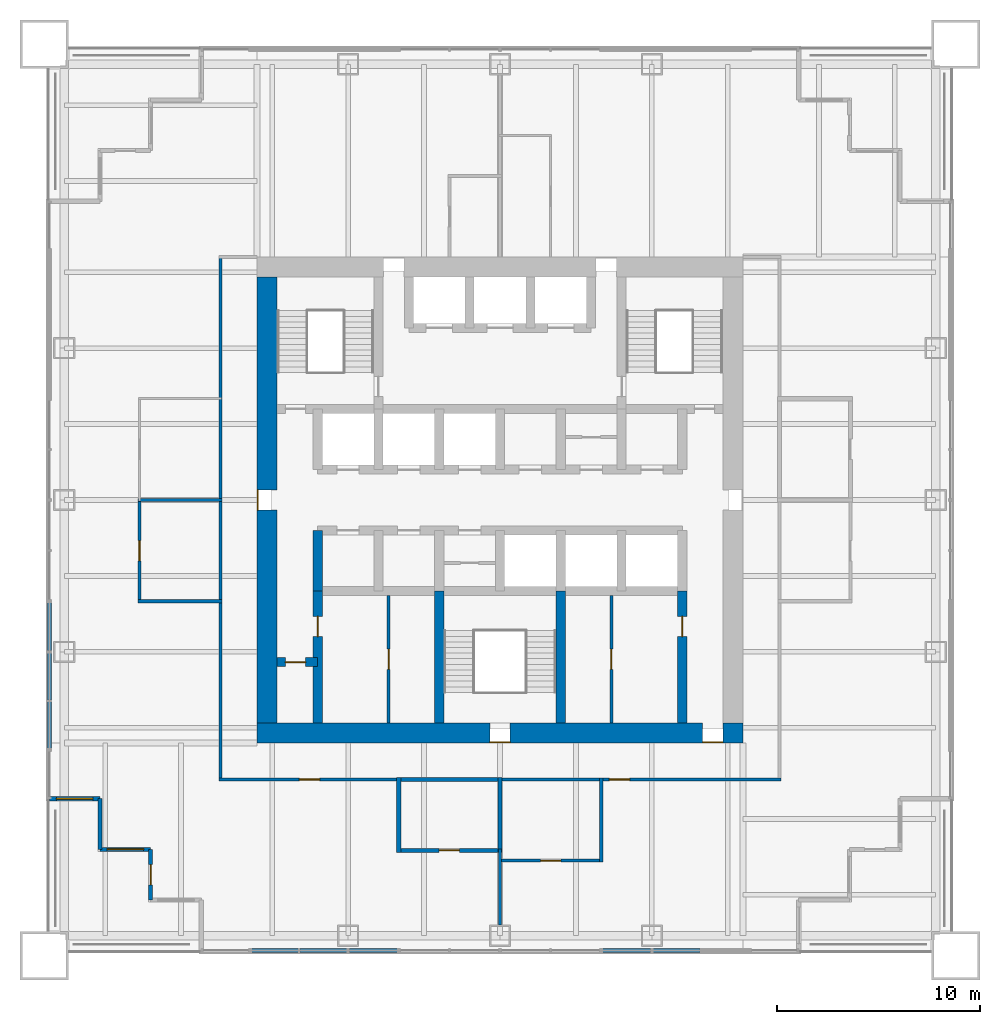
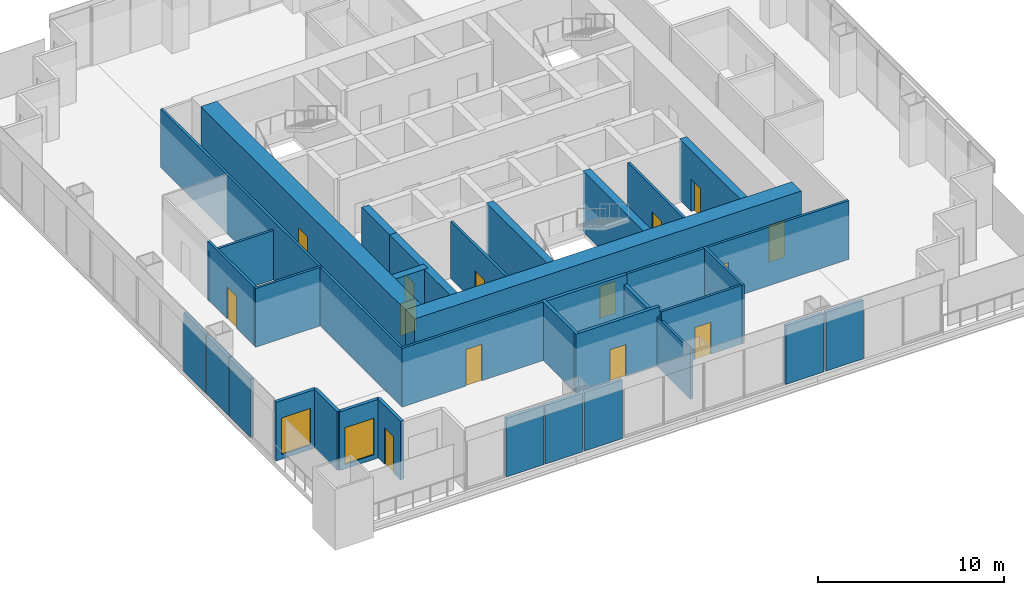
# One storey, part 8 of 13: 35 walls, 14 doors, 2 windows, 16 openings.
"""IFC4 building model written with IfcOpenShell, lengths in metres."""

from ifc_helpers import new_model, si_unit, direction, frame, frame_2d, origin, place, context, subcontext, project, spatial, rectangle, extrude, material, layer, layer_set, type_object, element, fill, save


model = new_model("IFC4")

# Units and contexts
model_context = context("Model", 3, precision=1e-05, world=origin(), true_north=direction((0.0, 1.0)))
body_context = subcontext(model_context, "Body", "Model", "MODEL_VIEW")
ifc_project = project(units=[si_unit("LENGTHUNIT", "METRE"), si_unit("AREAUNIT", "SQUARE_METRE"), si_unit("VOLUMEUNIT", "CUBIC_METRE"), si_unit("PLANEANGLEUNIT", "RADIAN"), si_unit("MASSUNIT", "GRAM", prefix="KILO")], contexts=[model_context])

# Site, building, storey
site_placement = place(None, origin())
site = spatial("IfcSite", under=ifc_project, at=site_placement, CompositionType="ELEMENT")
building_placement = place(site_placement, origin())
building = spatial("IfcBuilding", under=site, at=building_placement, Name="Tarangal Relay Tower", CompositionType="ELEMENT")
storey_placement = place(building_placement, frame((0.0, 0.0, 225.89990234375)))
storey = spatial("IfcBuildingStorey", under=building, at=storey_placement, Name="L48", CompositionType="ELEMENT", Elevation=225.89990234375)

# Wall, opening, door
ifc_material_1 = material(Name="Two layers gypsum board each side on twin steel studs, mineral wool", Category="steel")
ifc_layer_1 = layer(ifc_material_1, 0.199951171875)
ifc_layer_set_1 = layer_set([ifc_layer_1], Name="Acoustic partition 200")
wall_type_1 = type_object("IfcWallType", Name="Acoustic partition 200", PredefinedType="PARTITIONING", material=ifc_layer_set_1)
wall_1_placement = place(storey_placement, frame((-5.10009765625, -17.300048828125, 0.0), z_axis=(0.0, 0.0, 1.0), x_axis=(1.0, 0.0, 0.0)))
wall_1 = element("IfcWall", 1, at=wall_1_placement, inside=storey, type_object=wall_type_1, Name="Partition PT2 L48", PredefinedType="PARTITIONING", context=body_context, shape_type="SweptSolid", body=[
    extrude(rectangle(XDim=5.2001953125, YDim=0.199951171875, at=frame_2d((2.60009765625, 0.0))), origin(), (0.0, 0.0, 1.0), 3.85009765625),
])
opening_1_placement = place(wall_1_placement, frame((2.10009765625, 0.0, 0.0)))
opening_1 = element("IfcOpeningElement", 2, at=opening_1_placement, cuts=wall_1, Name="Opening D2", PredefinedType="OPENING", context=body_context, shape_type="SweptSolid", body=[
    extrude(rectangle(XDim=1.0, YDim=2.10009765625, at=frame_2d((0.5, 1.050048828125))), frame((0.0, 0.10986328125, 0.0), z_axis=(0.0, -1.0, 0.0), x_axis=(1.0, 0.0, 0.0)), (0.0, 0.0, 1.0), 0.219970703125),
])
ifc_material_2 = material(Name="Hardwood door", Category="wood")
door_type_1 = type_object("IfcDoorType", Name="Door 1000 x 2100", OperationType="SINGLE_SWING_LEFT", PredefinedType="DOOR", material=ifc_material_2)
door_1_placement = place(opening_1_placement, origin())
door_1 = element("IfcDoor", 3, at=door_1_placement, inside=storey, type_object=door_type_1, Name="Door D2 to quiet room L48-07", OperationType="SINGLE_SWING_LEFT", OverallHeight=2.10009765625, OverallWidth=1.0, PredefinedType="DOOR", context=body_context, shape_type="SweptSolid", body=[
    extrude(rectangle(XDim=1.0, YDim=2.10009765625, at=frame_2d((0.5, 1.050048828125))), frame((0.0, 0.02490234375, 0.0), z_axis=(0.0, -1.0, 0.0), x_axis=(1.0, 0.0, 0.0)), (0.0, 0.0, 1.0), 0.050048828125),
])
fill(opening_1, door_1)

# Walls
wall_2_placement = place(storey_placement, frame((-5.10009765625, -13.800048828125, 0.0), z_axis=(0.0, 0.0, 1.0), x_axis=(1.0, 0.0, 0.0)))
element("IfcWall", 4, at=wall_2_placement, inside=storey, type_object=wall_type_1, Name="Partition PT2 L48", PredefinedType="PARTITIONING", context=body_context, shape_type="SweptSolid", body=[
    extrude(rectangle(XDim=5.2001953125, YDim=0.199951171875, at=frame_2d((2.60009765625, 0.0))), origin(), (0.0, 0.0, 1.0), 3.85009765625),
])
wall_3_placement = place(storey_placement, frame((-5.0, -17.39990234375, 0.0), z_axis=(0.0, 0.0, 1.0), x_axis=(0.0, 1.0, 0.0)))
element("IfcWall", 5, at=wall_3_placement, inside=storey, type_object=wall_type_1, Name="Partition PT2 L48", PredefinedType="PARTITIONING", context=body_context, shape_type="SweptSolid", body=[
    extrude(rectangle(XDim=3.699951171875, YDim=0.199951171875, at=frame_2d((1.85009765625, 0.0))), origin(), (0.0, 0.0, 1.0), 3.85009765625),
])
wall_4_placement = place(storey_placement, frame((0.0, -17.39990234375, 0.0), z_axis=(0.0, 0.0, 1.0), x_axis=(0.0, 1.0, 0.0)))
element("IfcWall", 6, at=wall_4_placement, inside=storey, type_object=wall_type_1, Name="Partition PT2 L48", PredefinedType="PARTITIONING", context=body_context, shape_type="SweptSolid", body=[
    extrude(rectangle(XDim=3.699951171875, YDim=0.199951171875, at=frame_2d((1.85009765625, 0.0))), origin(), (0.0, 0.0, 1.0), 3.238037109375),
])

# Wall, opening, door
ifc_material_3 = material(Name="Concrete fc' 60 MPa", Category="concrete")
ifc_layer_2 = layer(ifc_material_3, 0.449951171875)
ifc_layer_set_2 = layer_set([ifc_layer_2], Name="Core inner wall 450")
wall_type_2 = type_object("IfcWallType", Name="Core inner wall 450", PredefinedType="SHEAR", material=ifc_layer_set_2)
wall_5_placement = place(storey_placement, frame((-11.0, -8.0, 0.0), z_axis=(0.0, 0.0, 1.0), x_axis=(1.0, 0.0, 0.0)))
wall_5 = element("IfcWall", 7, at=wall_5_placement, inside=storey, type_object=wall_type_2, Name="Core wall YM8 L48", PredefinedType="SHEAR", context=body_context, shape_type="SweptSolid", body=[
    extrude(rectangle(XDim=2.0, YDim=0.449951171875, at=frame_2d((1.0, 0.0))), origin(), (0.0, 0.0, 1.0), 4.0),
])
opening_2_placement = place(wall_5_placement, frame((0.39990234375, 0.0, 0.0)))
opening_2 = element("IfcOpeningElement", 8, at=opening_2_placement, cuts=wall_5, Name="Opening D1", PredefinedType="OPENING", context=body_context, shape_type="SweptSolid", body=[
    extrude(rectangle(XDim=1.0, YDim=2.10009765625, at=frame_2d((0.5, 1.050048828125))), frame((0.0, 0.23486328125, 0.0), z_axis=(0.0, -1.0, 0.0), x_axis=(1.0, 0.0, 0.0)), (0.0, 0.0, 1.0), 0.469970703125),
])
door_type_2 = type_object("IfcDoorType", Name="WC door 1000 x 2100", OperationType="SINGLE_SWING_LEFT", PredefinedType="DOOR", material=ifc_material_2)
door_2_placement = place(opening_2_placement, origin())
door_2 = element("IfcDoor", 9, at=door_2_placement, inside=storey, type_object=door_type_2, Name="Accessible WC door L48", OperationType="SINGLE_SWING_LEFT", OverallHeight=2.10009765625, OverallWidth=1.0, PredefinedType="DOOR", context=body_context, shape_type="SweptSolid", body=[
    extrude(rectangle(XDim=1.0, YDim=2.10009765625, at=frame_2d((0.5, 1.050048828125))), frame((0.0, 0.02490234375, 0.0), z_axis=(0.0, -1.0, 0.0), x_axis=(1.0, 0.0, 0.0)), (0.0, 0.0, 1.0), 0.050048828125),
])
fill(opening_2, door_2)

# Wall
wall_6_placement = place(storey_placement, frame((-9.0, -4.5, 0.0), z_axis=(0.0, 0.0, 1.0), x_axis=(0.0, 1.0, 0.0)))
element("IfcWall", 10, at=wall_6_placement, inside=storey, type_object=wall_type_2, Name="Core wall XM9S L48", PredefinedType="SHEAR", context=body_context, shape_type="SweptSolid", body=[
    extrude(rectangle(XDim=3.0, YDim=0.449951171875, at=frame_2d((1.5, 0.0))), origin(), (0.0, 0.0, 1.0), 4.0),
])

# Wall, opening, door
wall_7_placement = place(storey_placement, frame((-9.0, -11.0, 0.0), z_axis=(0.0, 0.0, 1.0), x_axis=(0.0, 1.0, 0.0)))
wall_7 = element("IfcWall", 11, at=wall_7_placement, inside=storey, type_object=wall_type_2, Name="Core wall XM9W L48", PredefinedType="SHEAR", context=body_context, shape_type="SweptSolid", body=[
    extrude(rectangle(XDim=6.5, YDim=0.449951171875, at=frame_2d((3.25, 0.0))), origin(), (0.0, 0.0, 1.0), 4.0),
])
opening_3_placement = place(wall_7_placement, frame((4.25, 0.0, 0.0)))
opening_3 = element("IfcOpeningElement", 12, at=opening_3_placement, cuts=wall_7, Name="Opening D1", PredefinedType="OPENING", context=body_context, shape_type="SweptSolid", body=[
    extrude(rectangle(XDim=1.0, YDim=2.10009765625, at=frame_2d((0.5, 1.050048828125))), frame((0.0, 0.23486328125, 0.0), z_axis=(0.0, -1.0, 0.0), x_axis=(1.0, 0.0, 0.0)), (0.0, 0.0, 1.0), 0.469970703125),
])
door_3_placement = place(opening_3_placement, origin())
door_3 = element("IfcDoor", 13, at=door_3_placement, inside=storey, type_object=door_type_2, Name="Male WC door L48", OperationType="SINGLE_SWING_LEFT", OverallHeight=2.10009765625, OverallWidth=1.0, PredefinedType="DOOR", context=body_context, shape_type="SweptSolid", body=[
    extrude(rectangle(XDim=1.0, YDim=2.10009765625, at=frame_2d((0.5, 1.050048828125))), frame((0.0, 0.02490234375, 0.0), z_axis=(0.0, -1.0, 0.0), x_axis=(1.0, 0.0, 0.0)), (0.0, 0.0, 1.0), 0.050048828125),
])
fill(opening_3, door_3)

wall_8_placement = place(storey_placement, frame((9.0, -11.0, 0.0), z_axis=(0.0, 0.0, 1.0), x_axis=(0.0, 1.0, 0.0)))
wall_8 = element("IfcWall", 14, at=wall_8_placement, inside=storey, type_object=wall_type_2, Name="Core wall X9W L48", PredefinedType="SHEAR", context=body_context, shape_type="SweptSolid", body=[
    extrude(rectangle(XDim=6.5, YDim=0.449951171875, at=frame_2d((3.25, 0.0))), origin(), (0.0, 0.0, 1.0), 4.0),
])
opening_4_placement = place(wall_8_placement, frame((4.25, 0.0, 0.0)))
opening_4 = element("IfcOpeningElement", 15, at=opening_4_placement, cuts=wall_8, Name="Opening D1", PredefinedType="OPENING", context=body_context, shape_type="SweptSolid", body=[
    extrude(rectangle(XDim=1.0, YDim=2.10009765625, at=frame_2d((0.5, 1.050048828125))), frame((0.0, 0.23486328125, 0.0), z_axis=(0.0, -1.0, 0.0), x_axis=(1.0, 0.0, 0.0)), (0.0, 0.0, 1.0), 0.469970703125),
])
door_4_placement = place(opening_4_placement, origin())
door_4 = element("IfcDoor", 16, at=door_4_placement, inside=storey, type_object=door_type_2, Name="Female WC door L48", OperationType="SINGLE_SWING_LEFT", OverallHeight=2.10009765625, OverallWidth=1.0, PredefinedType="DOOR", context=body_context, shape_type="SweptSolid", body=[
    extrude(rectangle(XDim=1.0, YDim=2.10009765625, at=frame_2d((0.5, 1.050048828125))), frame((0.0, 0.02490234375, 0.0), z_axis=(0.0, -1.0, 0.0), x_axis=(1.0, 0.0, 0.0)), (0.0, 0.0, 1.0), 0.050048828125),
])
fill(opening_4, door_4)

# Walls
for number, where, z_axis, x_axis, name in (
    (17, (-3.0, -11.0, 0.0), (0.0, 0.0, 1.0), (0.0, 1.0, 0.0), "Core wall XM3W L48"),
    (18, (3.0, -11.0, 0.0), (0.0, 0.0, 1.0), (0.0, 1.0, 0.0), "Core wall X3W L48"),
):
    element("IfcWall", number, at=place(storey_placement, frame(where, z_axis=z_axis, x_axis=x_axis)), inside=storey, type_object=wall_type_2, Name=name, PredefinedType="SHEAR", context=body_context, shape_type="SweptSolid", body=[
        extrude(rectangle(XDim=6.5, YDim=0.449951171875, at=frame_2d((3.25, 0.0))), origin(), (0.0, 0.0, 1.0), 4.0),
    ])

# Wall, openings, doors
ifc_layer_3 = layer(ifc_material_3, 1.0)
ifc_layer_set_3 = layer_set([ifc_layer_3], Name="Core wall 1000")
wall_type_3 = type_object("IfcWallType", Name="Core wall 1000", PredefinedType="SHEAR", material=ifc_layer_set_3)
wall_9_placement = place(storey_placement, frame((12.0, -11.5, 0.0), z_axis=(0.0, 0.0, 1.0), x_axis=(-1.0, 0.0, 0.0)))
wall_9 = element("IfcWall", 19, at=wall_9_placement, inside=storey, type_object=wall_type_3, Name="Core wall S L48", PredefinedType="SHEAR", context=body_context, shape_type="SweptSolid", body=[
    extrude(rectangle(XDim=24.0, YDim=1.0, at=frame_2d((12.0, 0.0))), origin(), (0.0, 0.0, 1.0), 4.0),
])
opening_5_placement = place(wall_9_placement, frame((11.5, 0.0, 0.0)))
opening_5 = element("IfcOpeningElement", 20, at=opening_5_placement, cuts=wall_9, Name="Opening FD1", PredefinedType="OPENING", context=body_context, shape_type="SweptSolid", body=[
    extrude(rectangle(XDim=1.0, YDim=2.10009765625, at=frame_2d((0.5, 1.050048828125))), frame((0.0, 0.510009765625, 0.0), z_axis=(0.0, -1.0, 0.0), x_axis=(1.0, 0.0, 0.0)), (0.0, 0.0, 1.0), 1.02001953125),
])
opening_6_placement = place(wall_9_placement, frame((1.0, 0.0, 0.0)))
opening_6 = element("IfcOpeningElement", 21, at=opening_6_placement, cuts=wall_9, Name="Opening FD3", PredefinedType="OPENING", context=body_context, shape_type="SweptSolid", body=[
    extrude(rectangle(XDim=1.0, YDim=2.39990234375, at=frame_2d((0.5, 1.199951171875))), frame((0.0, 0.510009765625, 0.0), z_axis=(0.0, -1.0, 0.0), x_axis=(1.0, 0.0, 0.0)), (0.0, 0.0, 1.0), 1.02001953125),
])
ifc_material_4 = material(Name="Steel door with hardwood frame", Category="steel")
door_type_3 = type_object("IfcDoorType", Name="Fire door 1000 x 2100", OperationType="SINGLE_SWING_LEFT", PredefinedType="DOOR", material=ifc_material_4)
door_5_placement = place(opening_5_placement, origin())
door_5 = element("IfcDoor", 22, at=door_5_placement, inside=storey, type_object=door_type_3, Name="Stair ST-C door L48", OperationType="SINGLE_SWING_LEFT", OverallHeight=2.10009765625, OverallWidth=1.0, PredefinedType="DOOR", context=body_context, shape_type="SweptSolid", body=[
    extrude(rectangle(XDim=1.0, YDim=2.10009765625, at=frame_2d((0.5, 1.050048828125))), frame((0.0, 0.48486328125, 0.0), z_axis=(0.0, -1.0, 0.0), x_axis=(1.0, 0.0, 0.0)), (0.0, 0.0, 1.0), 0.050048828125),
])
fill(opening_5, door_5)
door_type_4 = type_object("IfcDoorType", Name="Fire door 1000 x 2400 core entry", OperationType="SINGLE_SWING_RIGHT", PredefinedType="DOOR", material=ifc_material_4)
door_6_placement = place(opening_6_placement, origin())
door_6 = element("IfcDoor", 23, at=door_6_placement, inside=storey, type_object=door_type_4, Name="Core entry door south east L48", OperationType="SINGLE_SWING_RIGHT", OverallHeight=2.39990234375, OverallWidth=1.0, PredefinedType="DOOR", context=body_context, shape_type="SweptSolid", body=[
    extrude(rectangle(XDim=1.0, YDim=2.39990234375, at=frame_2d((0.5, 1.199951171875))), frame((0.0, 0.48486328125, 0.0), z_axis=(0.0, -1.0, 0.0), x_axis=(1.0, 0.0, 0.0)), (0.0, 0.0, 1.0), 0.050048828125),
])
fill(opening_6, door_6)

# Wall, opening, door
wall_10_placement = place(storey_placement, frame((-11.5, -11.0, 0.0), z_axis=(0.0, 0.0, 1.0), x_axis=(0.0, 1.0, 0.0)))
wall_10 = element("IfcWall", 24, at=wall_10_placement, inside=storey, type_object=wall_type_3, Name="Core wall W L48", PredefinedType="SHEAR", context=body_context, shape_type="SweptSolid", body=[
    extrude(rectangle(XDim=22.0, YDim=1.0, at=frame_2d((11.0, 0.0))), origin(), (0.0, 0.0, 1.0), 4.0),
])
opening_7_placement = place(wall_10_placement, frame((10.5, 0.0, 0.0)))
opening_7 = element("IfcOpeningElement", 25, at=opening_7_placement, cuts=wall_10, Name="Opening FD3", PredefinedType="OPENING", context=body_context, shape_type="SweptSolid", body=[
    extrude(rectangle(XDim=1.0, YDim=2.39990234375, at=frame_2d((0.5, 1.199951171875))), frame((0.0, 0.510009765625, 0.0), z_axis=(0.0, -1.0, 0.0), x_axis=(1.0, 0.0, 0.0)), (0.0, 0.0, 1.0), 1.02001953125),
])
door_7_placement = place(opening_7_placement, origin())
door_7 = element("IfcDoor", 26, at=door_7_placement, inside=storey, type_object=door_type_4, Name="Core entry door west L48", OperationType="SINGLE_SWING_RIGHT", OverallHeight=2.39990234375, OverallWidth=1.0, PredefinedType="DOOR", context=body_context, shape_type="SweptSolid", body=[
    extrude(rectangle(XDim=1.0, YDim=2.39990234375, at=frame_2d((0.5, 1.199951171875))), frame((0.0, 0.48486328125, 0.0), z_axis=(0.0, -1.0, 0.0), x_axis=(1.0, 0.0, 0.0)), (0.0, 0.0, 1.0), 0.050048828125),
])
fill(opening_7, door_7)

ifc_material_5 = material(Name="Black metal clad insulated wall", Category="steel")
ifc_layer_4 = layer(ifc_material_5, 0.199951171875)
ifc_layer_set_4 = layer_set([ifc_layer_4], Name="Corner wall metal clad 200")
wall_type_4 = type_object("IfcWallType", Name="Corner wall metal clad 200", PredefinedType="SOLIDWALL", material=ifc_layer_set_4)
wall_11_placement = place(storey_placement, frame((-17.25, -19.75, 0.0), z_axis=(0.0, 0.0, 1.0), x_axis=(0.0, 1.0, 0.0)))
wall_11 = element("IfcWall", 27, at=wall_11_placement, inside=storey, type_object=wall_type_4, Name="Facade wall S facade L48", PredefinedType="SOLIDWALL", context=body_context, shape_type="SweptSolid", body=[
    extrude(rectangle(XDim=2.5, YDim=0.199951171875, at=frame_2d((1.25, 0.0))), origin(), (0.0, 0.0, 1.0), 3.85009765625),
])
opening_8_placement = place(wall_11_placement, frame((0.75, 0.0, 0.0)))
opening_8 = element("IfcOpeningElement", 28, at=opening_8_placement, cuts=wall_11, Name="Opening TD1", PredefinedType="OPENING", context=body_context, shape_type="SweptSolid", body=[
    extrude(rectangle(XDim=1.0, YDim=2.39990234375, at=frame_2d((0.5, 1.199951171875))), frame((0.0, 0.10986328125, 0.0), z_axis=(0.0, -1.0, 0.0), x_axis=(1.0, 0.0, 0.0)), (0.0, 0.0, 1.0), 0.219970703125),
])
ifc_material_6 = material(Name="Aluminium glazed door", Category="aluminium")
door_type_5 = type_object("IfcDoorType", Name="Terrace door 1000 x 2400", OperationType="SINGLE_SWING_RIGHT", PredefinedType="DOOR", material=ifc_material_6)
door_8_placement = place(opening_8_placement, origin())
door_8 = element("IfcDoor", 29, at=door_8_placement, inside=storey, type_object=door_type_5, Name="Terrace door TD1 SW L48", OperationType="SINGLE_SWING_RIGHT", OverallHeight=2.39990234375, OverallWidth=1.0, PredefinedType="DOOR", context=body_context, shape_type="SweptSolid", body=[
    extrude(rectangle(XDim=1.0, YDim=2.39990234375, at=frame_2d((0.5, 1.199951171875))), frame((0.0, 0.02490234375, 0.0), z_axis=(0.0, -1.0, 0.0), x_axis=(1.0, 0.0, 0.0)), (0.0, 0.0, 1.0), 0.050048828125),
])
fill(opening_8, door_8)

# Wall, opening, window
wall_12_placement = place(storey_placement, frame((-17.25, -17.25, 0.0), z_axis=(0.0, 0.0, 1.0), x_axis=(-1.0, 0.0, 0.0)))
wall_12 = element("IfcWall", 30, at=wall_12_placement, inside=storey, type_object=wall_type_4, Name="Facade wall S facade L48", PredefinedType="SOLIDWALL", context=body_context, shape_type="SweptSolid", body=[
    extrude(rectangle(XDim=2.5, YDim=0.199951171875, at=frame_2d((1.25, 0.0))), origin(), (0.0, 0.0, 1.0), 3.85009765625),
])
opening_9_placement = place(wall_12_placement, frame((0.35009765625, 0.0, 0.300048828125)))
opening_9 = element("IfcOpeningElement", 31, at=opening_9_placement, cuts=wall_12, Name="Opening WN2", PredefinedType="OPENING", context=body_context, shape_type="SweptSolid", body=[
    extrude(rectangle(XDim=1.800048828125, YDim=2.39990234375, at=frame_2d((0.89990234375, 1.199951171875))), frame((0.0, 0.10986328125, 0.0), z_axis=(0.0, -1.0, 0.0), x_axis=(1.0, 0.0, 0.0)), (0.0, 0.0, 1.0), 0.219970703125),
])
ifc_material_7 = material(Name="Dark tinted double glazing in black aluminium frame", Category="aluminium")
window_type = type_object("IfcWindowType", Name="Corner window 1800 x 2400", PartitioningType="SINGLE_PANEL", PredefinedType="WINDOW", material=ifc_material_7)
window_1_placement = place(opening_9_placement, origin())
window_1 = element("IfcWindow", 32, at=window_1_placement, inside=storey, type_object=window_type, Name="Corner window WN2 S facade L48", OverallHeight=2.39990234375, OverallWidth=1.800048828125, PartitioningType="SINGLE_PANEL", PredefinedType="WINDOW", context=body_context, shape_type="SweptSolid", body=[
    extrude(rectangle(XDim=1.800048828125, YDim=2.39990234375, at=frame_2d((0.89990234375, 1.199951171875))), frame((0.0, 0.030029296875, 0.0), z_axis=(0.0, -1.0, 0.0), x_axis=(1.0, 0.0, 0.0)), (0.0, 0.0, 1.0), 0.06005859375),
])
fill(opening_9, window_1)

# Wall
wall_13_placement = place(storey_placement, frame((-19.75, -17.25, 0.0), z_axis=(0.0, 0.0, 1.0), x_axis=(0.0, 1.0, 0.0)))
element("IfcWall", 33, at=wall_13_placement, inside=storey, type_object=wall_type_4, Name="Facade wall S facade L48", PredefinedType="SOLIDWALL", context=body_context, shape_type="SweptSolid", body=[
    extrude(rectangle(XDim=2.5, YDim=0.199951171875, at=frame_2d((1.25, 0.0))), origin(), (0.0, 0.0, 1.0), 3.85009765625),
])

# Wall, opening, window
wall_14_placement = place(storey_placement, frame((-19.75, -14.75, 0.0), z_axis=(0.0, 0.0, 1.0), x_axis=(-1.0, 0.0, 0.0)))
wall_14 = element("IfcWall", 34, at=wall_14_placement, inside=storey, type_object=wall_type_4, Name="Facade wall S facade L48", PredefinedType="SOLIDWALL", context=body_context, shape_type="SweptSolid", body=[
    extrude(rectangle(XDim=2.5, YDim=0.199951171875, at=frame_2d((1.25, 0.0))), origin(), (0.0, 0.0, 1.0), 3.85009765625),
])
opening_10_placement = place(wall_14_placement, frame((0.35009765625, 0.0, 0.300048828125)))
opening_10 = element("IfcOpeningElement", 35, at=opening_10_placement, cuts=wall_14, Name="Opening WN2", PredefinedType="OPENING", context=body_context, shape_type="SweptSolid", body=[
    extrude(rectangle(XDim=1.800048828125, YDim=2.39990234375, at=frame_2d((0.89990234375, 1.199951171875))), frame((0.0, 0.10986328125, 0.0), z_axis=(0.0, -1.0, 0.0), x_axis=(1.0, 0.0, 0.0)), (0.0, 0.0, 1.0), 0.219970703125),
])
window_2_placement = place(opening_10_placement, origin())
window_2 = element("IfcWindow", 36, at=window_2_placement, inside=storey, type_object=window_type, Name="Corner window WN2 S facade L48", OverallHeight=2.39990234375, OverallWidth=1.800048828125, PartitioningType="SINGLE_PANEL", PredefinedType="WINDOW", context=body_context, shape_type="SweptSolid", body=[
    extrude(rectangle(XDim=1.800048828125, YDim=2.39990234375, at=frame_2d((0.89990234375, 1.199951171875))), frame((0.0, 0.030029296875, 0.0), z_axis=(0.0, -1.0, 0.0), x_axis=(1.0, 0.0, 0.0)), (0.0, 0.0, 1.0), 0.06005859375),
])
fill(opening_10, window_2)

# Walls
ifc_layer_5 = layer(ifc_material_5, 0.199951171875)
ifc_layer_set_5 = layer_set([ifc_layer_5], Name="Facade infill wall metal clad 200")
wall_type_5 = type_object("IfcWallType", Name="Facade infill wall metal clad 200", PredefinedType="SOLIDWALL", material=ifc_layer_set_5)
wall_15_placement = place(storey_placement, frame((9.884033203125, -22.25, 0.0), z_axis=(0.0, 0.0, 1.0), x_axis=(-1.0, 0.0, 0.0)))
element("IfcWall", 37, at=wall_15_placement, inside=storey, type_object=wall_type_5, Name="Facade infill wall S facade L48 2.1", PredefinedType="SOLIDWALL", context=body_context, shape_type="SweptSolid", body=[
    extrude(rectangle(XDim=2.319091796875, YDim=0.199951171875, at=frame_2d((1.15966796875, 0.0))), origin(), (0.0, 0.0, 1.0), 3.85009765625),
])
for number, where, z_axis, x_axis, name in (
    (38, (7.43505859375, -22.25, 0.0), (0.0, 0.0, 1.0), (-1.0, 0.0, 0.0), "Facade infill wall S facade L48 1.1"),
    (39, (-5.06494140625, -22.25, 0.0), (0.0, 0.0, 1.0), (-1.0, 0.0, 0.0), "Facade infill wall S facade L48 1.1"),
):
    element("IfcWall", number, at=place(storey_placement, frame(where, z_axis=z_axis, x_axis=x_axis)), inside=storey, type_object=wall_type_5, Name=name, PredefinedType="SOLIDWALL", context=body_context, shape_type="SweptSolid", body=[
        extrude(rectangle(XDim=2.3701171875, YDim=0.199951171875, at=frame_2d((1.18505859375, 0.0))), origin(), (0.0, 0.0, 1.0), 3.85009765625),
    ])
for number, where, z_axis, x_axis, name in (
    (40, (-7.56494140625, -22.25, 0.0), (0.0, 0.0, 1.0), (-1.0, 0.0, 0.0), "Facade infill wall S facade L48 1.1"),
    (41, (-9.94921875, -22.25, 0.0), (0.0, 0.0, 1.0), (-1.0, 0.0, 0.0), "Facade infill wall S facade L48 2.1"),
    (42, (-22.25, -12.268310546875, 0.0), (0.0, 0.0, 1.0), (0.0, 1.0, 0.0), "Facade infill wall W facade L48 1.1"),
    (43, (-22.25, -9.884033203125, 0.0), (0.0, 0.0, 1.0), (0.0, 1.0, 0.0), "Facade infill wall W facade L48 2.1"),
):
    element("IfcWall", number, at=place(storey_placement, frame(where, z_axis=z_axis, x_axis=x_axis)), inside=storey, type_object=wall_type_5, Name=name, PredefinedType="SOLIDWALL", context=body_context, shape_type="SweptSolid", body=[
        extrude(rectangle(XDim=2.319091796875, YDim=0.199951171875, at=frame_2d((1.15966796875, 0.0))), origin(), (0.0, 0.0, 1.0), 3.85009765625),
    ])
wall_16_placement = place(storey_placement, frame((-22.25, -7.43505859375, 0.0), z_axis=(0.0, 0.0, 1.0), x_axis=(0.0, 1.0, 0.0)))
element("IfcWall", 44, at=wall_16_placement, inside=storey, type_object=wall_type_5, Name="Facade infill wall W facade L48 1.1", PredefinedType="SOLIDWALL", context=body_context, shape_type="SweptSolid", body=[
    extrude(rectangle(XDim=2.3701171875, YDim=0.199951171875, at=frame_2d((1.18505859375, 0.0))), origin(), (0.0, 0.0, 1.0), 3.85009765625),
])

# Wall, opening, door
ifc_material_8 = material(Name="Gypsum board on steel studs", Category="steel")
ifc_layer_6 = layer(ifc_material_8, 0.14990234375)
ifc_layer_set_6 = layer_set([ifc_layer_6], Name="Partition 150")
wall_type_6 = type_object("IfcWallType", Name="Partition 150", PredefinedType="PARTITIONING", material=ifc_layer_set_6)
wall_17_placement = place(storey_placement, frame((-0.074951171875, -17.800048828125, 0.0), z_axis=(0.0, 0.0, 1.0), x_axis=(1.0, 0.0, 0.0)))
wall_17 = element("IfcWall", 45, at=wall_17_placement, inside=storey, type_object=wall_type_6, Name="Partition PT1 L48", PredefinedType="PARTITIONING", context=body_context, shape_type="SweptSolid", body=[
    extrude(rectangle(XDim=5.14990234375, YDim=0.14990234375, at=frame_2d((2.574951171875, 0.0))), origin(), (0.0, 0.0, 1.0), 3.85009765625),
])
opening_11_placement = place(wall_17_placement, frame((2.074951171875, 0.0, 0.0)))
opening_11 = element("IfcOpeningElement", 46, at=opening_11_placement, cuts=wall_17, Name="Opening D2", PredefinedType="OPENING", context=body_context, shape_type="SweptSolid", body=[
    extrude(rectangle(XDim=1.0, YDim=2.10009765625, at=frame_2d((0.5, 1.050048828125))), frame((0.0, 0.0849609375, 0.0), z_axis=(0.0, -1.0, 0.0), x_axis=(1.0, 0.0, 0.0)), (0.0, 0.0, 1.0), 0.169921875),
])
door_9_placement = place(opening_11_placement, origin())
door_9 = element("IfcDoor", 47, at=door_9_placement, inside=storey, type_object=door_type_1, Name="Door D2 to tea pantry L48-06", OperationType="SINGLE_SWING_LEFT", OverallHeight=2.10009765625, OverallWidth=1.0, PredefinedType="DOOR", context=body_context, shape_type="SweptSolid", body=[
    extrude(rectangle(XDim=1.0, YDim=2.10009765625, at=frame_2d((0.5, 1.050048828125))), frame((0.0, 0.02490234375, 0.0), z_axis=(0.0, -1.0, 0.0), x_axis=(1.0, 0.0, 0.0)), (0.0, 0.0, 1.0), 0.050048828125),
])
fill(opening_11, door_9)

wall_18_placement = place(storey_placement, frame((-13.875, -13.800048828125, 0.0), z_axis=(0.0, 0.0, 1.0), x_axis=(1.0, 0.0, 0.0)))
wall_18 = element("IfcWall", 48, at=wall_18_placement, inside=storey, type_object=wall_type_6, Name="Partition PT1 L48", PredefinedType="PARTITIONING", context=body_context, shape_type="SweptSolid", body=[
    extrude(rectangle(XDim=8.949951171875, YDim=0.14990234375, at=frame_2d((4.47509765625, 0.0))), origin(), (0.0, 0.0, 1.0), 3.85009765625),
])
opening_12_placement = place(wall_18_placement, frame((3.97509765625, 0.0, 0.0)))
opening_12 = element("IfcOpeningElement", 49, at=opening_12_placement, cuts=wall_18, Name="Opening SD1", PredefinedType="OPENING", context=body_context, shape_type="SweptSolid", body=[
    extrude(rectangle(XDim=1.0, YDim=2.39990234375, at=frame_2d((0.5, 1.199951171875))), frame((0.0, 0.0849609375, 0.0), z_axis=(0.0, -1.0, 0.0), x_axis=(1.0, 0.0, 0.0)), (0.0, 0.0, 1.0), 0.169921875),
])
door_type_6 = type_object("IfcDoorType", Name="Suite entrance door 1000 x 2400", OperationType="SINGLE_SWING_RIGHT", PredefinedType="DOOR", material=ifc_material_4)
door_10_placement = place(opening_12_placement, origin())
door_10 = element("IfcDoor", 50, at=door_10_placement, inside=storey, type_object=door_type_6, Name="Door SD1 to open plan office L48-10", OperationType="SINGLE_SWING_RIGHT", OverallHeight=2.39990234375, OverallWidth=1.0, PredefinedType="DOOR", context=body_context, shape_type="SweptSolid", body=[
    extrude(rectangle(XDim=1.0, YDim=2.39990234375, at=frame_2d((0.5, 1.199951171875))), frame((0.0, 0.02490234375, 0.0), z_axis=(0.0, -1.0, 0.0), x_axis=(1.0, 0.0, 0.0)), (0.0, 0.0, 1.0), 0.050048828125),
])
fill(opening_12, door_10)

wall_19_placement = place(storey_placement, frame((-0.074951171875, -13.800048828125, 0.0), z_axis=(0.0, 0.0, 1.0), x_axis=(1.0, 0.0, 0.0)))
wall_19 = element("IfcWall", 51, at=wall_19_placement, inside=storey, type_object=wall_type_6, Name="Partition PT1 L48", PredefinedType="PARTITIONING", context=body_context, shape_type="SweptSolid", body=[
    extrude(rectangle(XDim=13.949951171875, YDim=0.14990234375, at=frame_2d((6.97509765625, 0.0))), origin(), (0.0, 0.0, 1.0), 3.85009765625),
])
opening_13_placement = place(wall_19_placement, frame((5.47509765625, 0.0, 0.0)))
opening_13 = element("IfcOpeningElement", 52, at=opening_13_placement, cuts=wall_19, Name="Opening SD1", PredefinedType="OPENING", context=body_context, shape_type="SweptSolid", body=[
    extrude(rectangle(XDim=1.0, YDim=2.39990234375, at=frame_2d((0.5, 1.199951171875))), frame((0.0, 0.0849609375, 0.0), z_axis=(0.0, -1.0, 0.0), x_axis=(1.0, 0.0, 0.0)), (0.0, 0.0, 1.0), 0.169921875),
])
door_11_placement = place(opening_13_placement, origin())
door_11 = element("IfcDoor", 53, at=door_11_placement, inside=storey, type_object=door_type_6, Name="Door SD1 to open plan office L48-11", OperationType="SINGLE_SWING_RIGHT", OverallHeight=2.39990234375, OverallWidth=1.0, PredefinedType="DOOR", context=body_context, shape_type="SweptSolid", body=[
    extrude(rectangle(XDim=1.0, YDim=2.39990234375, at=frame_2d((0.5, 1.199951171875))), frame((0.0, 0.02490234375, 0.0), z_axis=(0.0, -1.0, 0.0), x_axis=(1.0, 0.0, 0.0)), (0.0, 0.0, 1.0), 0.050048828125),
])
fill(opening_13, door_11)

# Walls
wall_20_placement = place(storey_placement, frame((-17.875, -5.0, 0.0), z_axis=(0.0, 0.0, 1.0), x_axis=(1.0, 0.0, 0.0)))
element("IfcWall", 54, at=wall_20_placement, inside=storey, type_object=wall_type_6, Name="Partition PT1 L48", PredefinedType="PARTITIONING", context=body_context, shape_type="SweptSolid", body=[
    extrude(rectangle(XDim=4.14990234375, YDim=0.14990234375, at=frame_2d((2.074951171875, 0.0))), origin(), (0.0, 0.0, 1.0), 3.85009765625),
])
wall_21_placement = place(storey_placement, frame((-17.875, 0.0, 0.0), z_axis=(0.0, 0.0, 1.0), x_axis=(1.0, 0.0, 0.0)))
element("IfcWall", 55, at=wall_21_placement, inside=storey, type_object=wall_type_6, Name="Partition PT1 L48", PredefinedType="PARTITIONING", context=body_context, shape_type="SweptSolid", body=[
    extrude(rectangle(XDim=4.14990234375, YDim=0.14990234375, at=frame_2d((2.074951171875, 0.0))), origin(), (0.0, 0.0, 1.0), 3.238037109375),
])

# Wall, opening, door
wall_22_placement = place(storey_placement, frame((-17.800048828125, -5.074951171875, 0.0), z_axis=(0.0, 0.0, 1.0), x_axis=(0.0, 1.0, 0.0)))
wall_22 = element("IfcWall", 56, at=wall_22_placement, inside=storey, type_object=wall_type_6, Name="Partition PT1 L48", PredefinedType="PARTITIONING", context=body_context, shape_type="SweptSolid", body=[
    extrude(rectangle(XDim=5.14990234375, YDim=0.14990234375, at=frame_2d((2.574951171875, 0.0))), origin(), (0.0, 0.0, 1.0), 3.85009765625),
])
opening_14_placement = place(wall_22_placement, frame((2.074951171875, 0.0, 0.0)))
opening_14 = element("IfcOpeningElement", 57, at=opening_14_placement, cuts=wall_22, Name="Opening D2", PredefinedType="OPENING", context=body_context, shape_type="SweptSolid", body=[
    extrude(rectangle(XDim=1.0, YDim=2.10009765625, at=frame_2d((0.5, 1.050048828125))), frame((0.0, 0.0849609375, 0.0), z_axis=(0.0, -1.0, 0.0), x_axis=(1.0, 0.0, 0.0)), (0.0, 0.0, 1.0), 0.169921875),
])
door_12_placement = place(opening_14_placement, origin())
door_12 = element("IfcDoor", 58, at=door_12_placement, inside=storey, type_object=door_type_1, Name="Door D2 to print room L48-08", OperationType="SINGLE_SWING_LEFT", OverallHeight=2.10009765625, OverallWidth=1.0, PredefinedType="DOOR", context=body_context, shape_type="SweptSolid", body=[
    extrude(rectangle(XDim=1.0, YDim=2.10009765625, at=frame_2d((0.5, 1.050048828125))), frame((0.0, 0.02490234375, 0.0), z_axis=(0.0, -1.0, 0.0), x_axis=(1.0, 0.0, 0.0)), (0.0, 0.0, 1.0), 0.050048828125),
])
fill(opening_14, door_12)

# Walls
wall_23_placement = place(storey_placement, frame((-13.800048828125, -13.875, 0.0), z_axis=(0.0, 0.0, 1.0), x_axis=(0.0, 1.0, 0.0)))
element("IfcWall", 59, at=wall_23_placement, inside=storey, type_object=wall_type_6, Name="Partition PT1 L48", PredefinedType="PARTITIONING", context=body_context, shape_type="SweptSolid", body=[
    extrude(rectangle(XDim=25.949951171875, YDim=0.14990234375, at=frame_2d((12.97509765625, 0.0))), origin(), (0.0, 0.0, 1.0), 3.85009765625),
])
wall_24_placement = place(storey_placement, frame((0.0, -20.989990234375, 0.0), z_axis=(0.0, 0.0, 1.0), x_axis=(0.0, 1.0, 0.0)))
element("IfcWall", 60, at=wall_24_placement, inside=storey, type_object=wall_type_6, Name="Partition PT1 L48", PredefinedType="PARTITIONING", context=body_context, shape_type="SweptSolid", body=[
    extrude(rectangle(XDim=3.764892578125, YDim=0.14990234375, at=frame_2d((1.88232421875, 0.0))), origin(), (0.0, 0.0, 1.0), 3.238037109375),
])
wall_25_placement = place(storey_placement, frame((5.0, -17.875, 0.0), z_axis=(0.0, 0.0, 1.0), x_axis=(0.0, 1.0, 0.0)))
element("IfcWall", 61, at=wall_25_placement, inside=storey, type_object=wall_type_6, Name="Partition PT1 L48", PredefinedType="PARTITIONING", context=body_context, shape_type="SweptSolid", body=[
    extrude(rectangle(XDim=4.14990234375, YDim=0.14990234375, at=frame_2d((2.074951171875, 0.0))), origin(), (0.0, 0.0, 1.0), 3.85009765625),
])

# Wall, opening, door
wall_26_placement = place(storey_placement, frame((-5.5, -11.0, 0.0), z_axis=(0.0, 0.0, 1.0), x_axis=(0.0, 1.0, 0.0)))
wall_26 = element("IfcWall", 62, at=wall_26_placement, inside=storey, type_object=wall_type_6, Name="Partition PT1 L48", PredefinedType="PARTITIONING", context=body_context, shape_type="SweptSolid", body=[
    extrude(rectangle(XDim=6.27490234375, YDim=0.14990234375, at=frame_2d((3.137451171875, 0.0))), origin(), (0.0, 0.0, 1.0), 3.75),
])
opening_15_placement = place(wall_26_placement, frame((2.637451171875, 0.0, 0.0)))
opening_15 = element("IfcOpeningElement", 63, at=opening_15_placement, cuts=wall_26, Name="Opening D1", PredefinedType="OPENING", context=body_context, shape_type="SweptSolid", body=[
    extrude(rectangle(XDim=1.0, YDim=2.10009765625, at=frame_2d((0.5, 1.050048828125))), frame((0.0, 0.0849609375, 0.0), z_axis=(0.0, -1.0, 0.0), x_axis=(1.0, 0.0, 0.0)), (0.0, 0.0, 1.0), 0.169921875),
])
door_13_placement = place(opening_15_placement, origin())
door_13 = element("IfcDoor", 64, at=door_13_placement, inside=storey, type_object=door_type_2, Name="Door D1 to male shower and changing room L48-C7B", OperationType="SINGLE_SWING_LEFT", OverallHeight=2.10009765625, OverallWidth=1.0, PredefinedType="DOOR", context=body_context, shape_type="SweptSolid", body=[
    extrude(rectangle(XDim=1.0, YDim=2.10009765625, at=frame_2d((0.5, 1.050048828125))), frame((0.0, 0.02490234375, 0.0), z_axis=(0.0, -1.0, 0.0), x_axis=(1.0, 0.0, 0.0)), (0.0, 0.0, 1.0), 0.050048828125),
])
fill(opening_15, door_13)

wall_27_placement = place(storey_placement, frame((5.5, -11.0, 0.0), z_axis=(0.0, 0.0, 1.0), x_axis=(0.0, 1.0, 0.0)))
wall_27 = element("IfcWall", 65, at=wall_27_placement, inside=storey, type_object=wall_type_6, Name="Partition PT1 L48", PredefinedType="PARTITIONING", context=body_context, shape_type="SweptSolid", body=[
    extrude(rectangle(XDim=6.27490234375, YDim=0.14990234375, at=frame_2d((3.137451171875, 0.0))), origin(), (0.0, 0.0, 1.0), 3.75),
])
opening_16_placement = place(wall_27_placement, frame((2.637451171875, 0.0, 0.0)))
opening_16 = element("IfcOpeningElement", 66, at=opening_16_placement, cuts=wall_27, Name="Opening D1", PredefinedType="OPENING", context=body_context, shape_type="SweptSolid", body=[
    extrude(rectangle(XDim=1.0, YDim=2.10009765625, at=frame_2d((0.5, 1.050048828125))), frame((0.0, 0.0849609375, 0.0), z_axis=(0.0, -1.0, 0.0), x_axis=(1.0, 0.0, 0.0)), (0.0, 0.0, 1.0), 0.169921875),
])
door_14_placement = place(opening_16_placement, origin())
door_14 = element("IfcDoor", 67, at=door_14_placement, inside=storey, type_object=door_type_2, Name="Door D1 to female shower and changing room L48-C10B", OperationType="SINGLE_SWING_LEFT", OverallHeight=2.10009765625, OverallWidth=1.0, PredefinedType="DOOR", context=body_context, shape_type="SweptSolid", body=[
    extrude(rectangle(XDim=1.0, YDim=2.10009765625, at=frame_2d((0.5, 1.050048828125))), frame((0.0, 0.02490234375, 0.0), z_axis=(0.0, -1.0, 0.0), x_axis=(1.0, 0.0, 0.0)), (0.0, 0.0, 1.0), 0.050048828125),
])
fill(opening_16, door_14)

save(model, "model.ifc")
